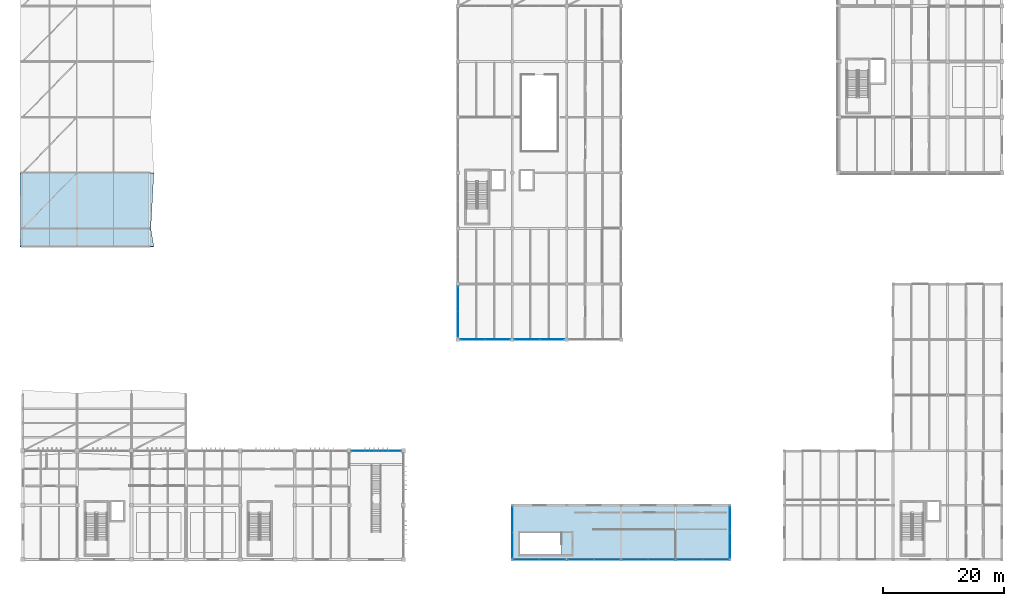
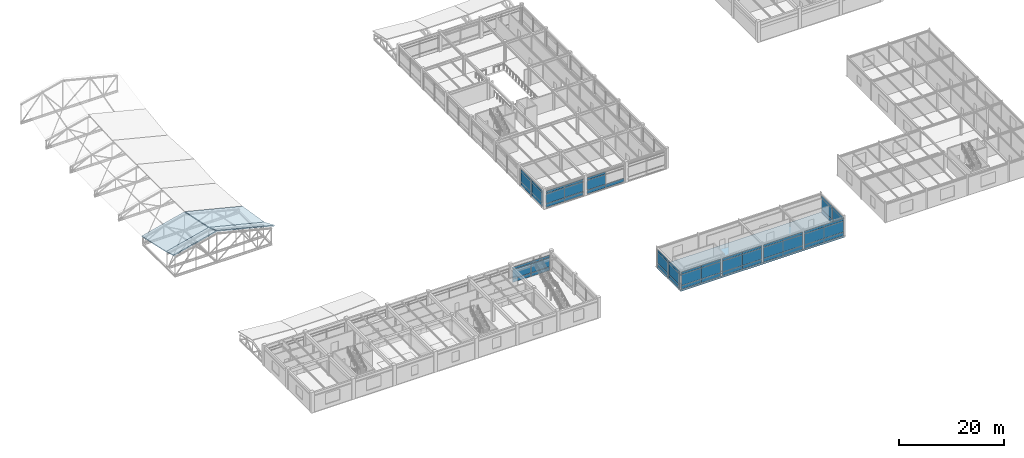
# One storey, part 35 of 61: 58 plates, 6 slabs, 10 elements without a shape of their own.
"""IFC4 building model written with IfcOpenShell, lengths in metres."""

from ifc_helpers import new_model, si_unit, direction, frame, origin, origin_2d, place, context, subcontext, project, spatial, polyline, rectangle, outline, extrude, material, layer, layer_set, type_object, element, aggregate, save


model = new_model("IFC4")

# Units and contexts
model_context = context("Model", 3, precision=1e-05, world=origin(), true_north=direction((0.0, 1.0)))
body_context = subcontext(model_context, "Body", "Model", "MODEL_VIEW")
ifc_project = project(units=[si_unit("LENGTHUNIT", "METRE"), si_unit("AREAUNIT", "SQUARE_METRE"), si_unit("VOLUMEUNIT", "CUBIC_METRE"), si_unit("PLANEANGLEUNIT", "RADIAN"), si_unit("MASSUNIT", "GRAM", prefix="KILO")], contexts=[model_context])

# Site, building, storey
site_placement = place(None, origin())
site = spatial("IfcSite", under=ifc_project, at=site_placement, CompositionType="ELEMENT")
building_placement = place(site_placement, origin())
building = spatial("IfcBuilding", under=site, at=building_placement, Name="Bozkorgan Art Gallery", CompositionType="ELEMENT")
storey_placement = place(building_placement, frame((0.0, 0.0, 10.199951171875)))
storey = spatial("IfcBuildingStorey", under=building, at=storey_placement, Name="L02", CompositionType="ELEMENT", Elevation=10.199951171875)

# Curtain wall, plates
ifc_material_1 = material(Name="Anodised Bronze Aluminium", Category="aluminium")
curtain_wall_type_1 = type_object("IfcCurtainWallType", Name="CW-CW-61", PredefinedType="NOTDEFINED", material=ifc_material_1)
curtain_wall_1_placement = place(storey_placement, origin())
curtain_wall_1 = element("IfcCurtainWall", 1, at=curtain_wall_1_placement, inside=storey, type_object=curtain_wall_type_1, Name="L02 unitised curtain wall CW-V1-L02-1N-14", PredefinedType="NOTDEFINED")
ifc_material_2 = material(Name="Triple Low-E Laminated Glass", Category="glass")
ifc_layer_1 = layer(ifc_material_2, 0.0439453125, Name="Triple Low-E Laminated Glass")
ifc_layer_set_1 = layer_set([ifc_layer_1], Name="Triple Low-E Laminated Glass")
plate_type = type_object("IfcPlateType", Name="CWP-GLZ", PredefinedType="CURTAIN_PANEL", material=ifc_layer_set_1)
plate_1_placement = place(storey_placement, frame((58.44873046875, 20.0, 0.094970703125), z_axis=(0.0, 0.0, 1.0), x_axis=(1.0, 0.0, 0.0)))
plate_1 = element("IfcPlate", 2, at=plate_1_placement, type_object=plate_type, Name="CW-61 panel 1.1", PredefinedType="CURTAIN_PANEL", context=body_context, shape_type="SweptSolid", body=[
    extrude(rectangle(XDim=4.03759765625, YDim=0.0439453125, at=origin_2d()), origin(), (0.0, 0.0, 1.0), 0.78759765625),
])
plate_2_placement = place(storey_placement, frame((58.44873046875, 20.0, 0.95751953125), z_axis=(0.0, 0.0, 1.0), x_axis=(1.0, 0.0, 0.0)))
plate_2 = element("IfcPlate", 3, at=plate_2_placement, type_object=plate_type, Name="CW-61 panel 1.2", PredefinedType="CURTAIN_PANEL", context=body_context, shape_type="SweptSolid", body=[
    extrude(rectangle(XDim=4.03759765625, YDim=0.0439453125, at=origin_2d()), origin(), (0.0, 0.0, 1.0), 2.070068359375),
])
plate_3_placement = place(storey_placement, frame((58.44873046875, 20.0, 3.1025390625), z_axis=(0.0, 0.0, 1.0), x_axis=(1.0, 0.0, 0.0)))
plate_3 = element("IfcPlate", 4, at=plate_3_placement, type_object=plate_type, Name="CW-61 panel 1.3", PredefinedType="CURTAIN_PANEL", context=body_context, shape_type="SweptSolid", body=[
    extrude(rectangle(XDim=4.03759765625, YDim=0.0439453125, at=origin_2d()), origin(), (0.0, 0.0, 1.0), 0.53759765625),
])
plate_4_placement = place(storey_placement, frame((62.55126953125, 20.0, 0.094970703125), z_axis=(0.0, 0.0, 1.0), x_axis=(1.0, 0.0, 0.0)))
plate_4 = element("IfcPlate", 5, at=plate_4_placement, type_object=plate_type, Name="CW-61 panel 2.1", PredefinedType="CURTAIN_PANEL", context=body_context, shape_type="SweptSolid", body=[
    extrude(rectangle(XDim=4.03759765625, YDim=0.0439453125, at=origin_2d()), origin(), (0.0, 0.0, 1.0), 0.78759765625),
])
plate_5_placement = place(storey_placement, frame((62.55126953125, 20.0, 0.95751953125), z_axis=(0.0, 0.0, 1.0), x_axis=(1.0, 0.0, 0.0)))
plate_5 = element("IfcPlate", 6, at=plate_5_placement, type_object=plate_type, Name="CW-61 panel 2.2", PredefinedType="CURTAIN_PANEL", context=body_context, shape_type="SweptSolid", body=[
    extrude(rectangle(XDim=4.03759765625, YDim=0.0439453125, at=origin_2d()), origin(), (0.0, 0.0, 1.0), 2.070068359375),
])
plate_6_placement = place(storey_placement, frame((62.55126953125, 20.0, 3.1025390625), z_axis=(0.0, 0.0, 1.0), x_axis=(1.0, 0.0, 0.0)))
plate_6 = element("IfcPlate", 7, at=plate_6_placement, type_object=plate_type, Name="CW-61 panel 2.3", PredefinedType="CURTAIN_PANEL", context=body_context, shape_type="SweptSolid", body=[
    extrude(rectangle(XDim=4.03759765625, YDim=0.0439453125, at=origin_2d()), origin(), (0.0, 0.0, 1.0), 0.53759765625),
])
aggregate(curtain_wall_1, [plate_1, plate_2, plate_3, plate_4, plate_5, plate_6])

curtain_wall_type_2 = type_object("IfcCurtainWallType", Name="CW-CW-97", PredefinedType="NOTDEFINED", material=ifc_material_1)
curtain_wall_2_placement = place(storey_placement, origin())
curtain_wall_2 = element("IfcCurtainWall", 8, at=curtain_wall_2_placement, inside=storey, type_object=curtain_wall_type_2, Name="L02 unitised curtain wall CW-V3-L02-1S-01", PredefinedType="NOTDEFINED")
plate_7_placement = place(storey_placement, frame((85.351318359375, 2.0, 0.10009765625), z_axis=(0.0, 0.0, 1.0), x_axis=(1.0, 0.0, 0.0)))
plate_7 = element("IfcPlate", 9, at=plate_7_placement, type_object=plate_type, Name="CW-97 panel 1.1", PredefinedType="CURTAIN_PANEL", context=body_context, shape_type="SweptSolid", body=[
    extrude(rectangle(XDim=4.222412109375, YDim=0.0439453125, at=origin_2d()), origin(), (0.0, 0.0, 1.0), 0.780029296875),
])
plate_8_placement = place(storey_placement, frame((85.351318359375, 2.0, 0.960205078125), z_axis=(0.0, 0.0, 1.0), x_axis=(1.0, 0.0, 0.0)))
plate_8 = element("IfcPlate", 10, at=plate_8_placement, type_object=plate_type, Name="CW-97 panel 1.2", PredefinedType="CURTAIN_PANEL", context=body_context, shape_type="SweptSolid", body=[
    extrude(rectangle(XDim=4.222412109375, YDim=0.0439453125, at=origin_2d()), origin(), (0.0, 0.0, 1.0), 2.5048828125),
])
plate_9_placement = place(storey_placement, frame((85.351318359375, 2.0, 3.544921875), z_axis=(0.0, 0.0, 1.0), x_axis=(1.0, 0.0, 0.0)))
plate_9 = element("IfcPlate", 11, at=plate_9_placement, type_object=plate_type, Name="CW-97 panel 1.3", PredefinedType="CURTAIN_PANEL", context=body_context, shape_type="SweptSolid", body=[
    extrude(rectangle(XDim=4.222412109375, YDim=0.0439453125, at=origin_2d()), origin(), (0.0, 0.0, 1.0), 0.530029296875),
])
plate_10_placement = place(storey_placement, frame((89.648681640625, 2.0, 0.10009765625), z_axis=(0.0, 0.0, 1.0), x_axis=(1.0, 0.0, 0.0)))
plate_10 = element("IfcPlate", 12, at=plate_10_placement, type_object=plate_type, Name="CW-97 panel 2.1", PredefinedType="CURTAIN_PANEL", context=body_context, shape_type="SweptSolid", body=[
    extrude(rectangle(XDim=4.222412109375, YDim=0.0439453125, at=origin_2d()), origin(), (0.0, 0.0, 1.0), 0.780029296875),
])
plate_11_placement = place(storey_placement, frame((89.648681640625, 2.0, 0.960205078125), z_axis=(0.0, 0.0, 1.0), x_axis=(1.0, 0.0, 0.0)))
plate_11 = element("IfcPlate", 13, at=plate_11_placement, type_object=plate_type, Name="CW-97 panel 2.2", PredefinedType="CURTAIN_PANEL", context=body_context, shape_type="SweptSolid", body=[
    extrude(rectangle(XDim=4.222412109375, YDim=0.0439453125, at=origin_2d()), origin(), (0.0, 0.0, 1.0), 2.5048828125),
])
plate_12_placement = place(storey_placement, frame((89.648681640625, 2.0, 3.544921875), z_axis=(0.0, 0.0, 1.0), x_axis=(1.0, 0.0, 0.0)))
plate_12 = element("IfcPlate", 14, at=plate_12_placement, type_object=plate_type, Name="CW-97 panel 2.3", PredefinedType="CURTAIN_PANEL", context=body_context, shape_type="SweptSolid", body=[
    extrude(rectangle(XDim=4.222412109375, YDim=0.0439453125, at=origin_2d()), origin(), (0.0, 0.0, 1.0), 0.530029296875),
])
aggregate(curtain_wall_2, [plate_7, plate_8, plate_9, plate_10, plate_11, plate_12])

curtain_wall_3_placement = place(storey_placement, origin())
curtain_wall_3 = element("IfcCurtainWall", 15, at=curtain_wall_3_placement, inside=storey, type_object=curtain_wall_type_2, Name="L02 unitised curtain wall CW-V3-L02-1S-03", PredefinedType="NOTDEFINED")
plate_13_placement = place(storey_placement, frame((94.351318359375, 2.0, 0.10009765625), z_axis=(0.0, 0.0, 1.0), x_axis=(1.0, 0.0, 0.0)))
plate_13 = element("IfcPlate", 16, at=plate_13_placement, type_object=plate_type, Name="CW-97 panel 1.1", PredefinedType="CURTAIN_PANEL", context=body_context, shape_type="SweptSolid", body=[
    extrude(rectangle(XDim=4.222412109375, YDim=0.0439453125, at=origin_2d()), origin(), (0.0, 0.0, 1.0), 0.780029296875),
])
plate_14_placement = place(storey_placement, frame((94.351318359375, 2.0, 0.960205078125), z_axis=(0.0, 0.0, 1.0), x_axis=(1.0, 0.0, 0.0)))
plate_14 = element("IfcPlate", 17, at=plate_14_placement, type_object=plate_type, Name="CW-97 panel 1.2", PredefinedType="CURTAIN_PANEL", context=body_context, shape_type="SweptSolid", body=[
    extrude(rectangle(XDim=4.222412109375, YDim=0.0439453125, at=origin_2d()), origin(), (0.0, 0.0, 1.0), 2.5048828125),
])
plate_15_placement = place(storey_placement, frame((94.351318359375, 2.0, 3.544921875), z_axis=(0.0, 0.0, 1.0), x_axis=(1.0, 0.0, 0.0)))
plate_15 = element("IfcPlate", 18, at=plate_15_placement, type_object=plate_type, Name="CW-97 panel 1.3", PredefinedType="CURTAIN_PANEL", context=body_context, shape_type="SweptSolid", body=[
    extrude(rectangle(XDim=4.222412109375, YDim=0.0439453125, at=origin_2d()), origin(), (0.0, 0.0, 1.0), 0.530029296875),
])
plate_16_placement = place(storey_placement, frame((98.648681640625, 2.0, 0.10009765625), z_axis=(0.0, 0.0, 1.0), x_axis=(1.0, 0.0, 0.0)))
plate_16 = element("IfcPlate", 19, at=plate_16_placement, type_object=plate_type, Name="CW-97 panel 2.1", PredefinedType="CURTAIN_PANEL", context=body_context, shape_type="SweptSolid", body=[
    extrude(rectangle(XDim=4.222412109375, YDim=0.0439453125, at=origin_2d()), origin(), (0.0, 0.0, 1.0), 0.780029296875),
])
plate_17_placement = place(storey_placement, frame((98.648681640625, 2.0, 0.960205078125), z_axis=(0.0, 0.0, 1.0), x_axis=(1.0, 0.0, 0.0)))
plate_17 = element("IfcPlate", 20, at=plate_17_placement, type_object=plate_type, Name="CW-97 panel 2.2", PredefinedType="CURTAIN_PANEL", context=body_context, shape_type="SweptSolid", body=[
    extrude(rectangle(XDim=4.222412109375, YDim=0.0439453125, at=origin_2d()), origin(), (0.0, 0.0, 1.0), 2.5048828125),
])
plate_18_placement = place(storey_placement, frame((98.648681640625, 2.0, 3.544921875), z_axis=(0.0, 0.0, 1.0), x_axis=(1.0, 0.0, 0.0)))
plate_18 = element("IfcPlate", 21, at=plate_18_placement, type_object=plate_type, Name="CW-97 panel 2.3", PredefinedType="CURTAIN_PANEL", context=body_context, shape_type="SweptSolid", body=[
    extrude(rectangle(XDim=4.222412109375, YDim=0.0439453125, at=origin_2d()), origin(), (0.0, 0.0, 1.0), 0.530029296875),
])
aggregate(curtain_wall_3, [plate_13, plate_14, plate_15, plate_16, plate_17, plate_18])

curtain_wall_4_placement = place(storey_placement, origin())
curtain_wall_4 = element("IfcCurtainWall", 22, at=curtain_wall_4_placement, inside=storey, type_object=curtain_wall_type_2, Name="L02 unitised curtain wall CW-V3-L02-1S-05", PredefinedType="NOTDEFINED")
plate_19_placement = place(storey_placement, frame((103.351318359375, 2.0, 0.10009765625), z_axis=(0.0, 0.0, 1.0), x_axis=(1.0, 0.0, 0.0)))
plate_19 = element("IfcPlate", 23, at=plate_19_placement, type_object=plate_type, Name="CW-97 panel 1.1", PredefinedType="CURTAIN_PANEL", context=body_context, shape_type="SweptSolid", body=[
    extrude(rectangle(XDim=4.222412109375, YDim=0.0439453125, at=origin_2d()), origin(), (0.0, 0.0, 1.0), 0.780029296875),
])
plate_20_placement = place(storey_placement, frame((103.351318359375, 2.0, 0.960205078125), z_axis=(0.0, 0.0, 1.0), x_axis=(1.0, 0.0, 0.0)))
plate_20 = element("IfcPlate", 24, at=plate_20_placement, type_object=plate_type, Name="CW-97 panel 1.2", PredefinedType="CURTAIN_PANEL", context=body_context, shape_type="SweptSolid", body=[
    extrude(rectangle(XDim=4.222412109375, YDim=0.0439453125, at=origin_2d()), origin(), (0.0, 0.0, 1.0), 2.5048828125),
])
plate_21_placement = place(storey_placement, frame((103.351318359375, 2.0, 3.544921875), z_axis=(0.0, 0.0, 1.0), x_axis=(1.0, 0.0, 0.0)))
plate_21 = element("IfcPlate", 25, at=plate_21_placement, type_object=plate_type, Name="CW-97 panel 1.3", PredefinedType="CURTAIN_PANEL", context=body_context, shape_type="SweptSolid", body=[
    extrude(rectangle(XDim=4.222412109375, YDim=0.0439453125, at=origin_2d()), origin(), (0.0, 0.0, 1.0), 0.530029296875),
])
plate_22_placement = place(storey_placement, frame((107.648681640625, 2.0, 0.10009765625), z_axis=(0.0, 0.0, 1.0), x_axis=(1.0, 0.0, 0.0)))
plate_22 = element("IfcPlate", 26, at=plate_22_placement, type_object=plate_type, Name="CW-97 panel 2.1", PredefinedType="CURTAIN_PANEL", context=body_context, shape_type="SweptSolid", body=[
    extrude(rectangle(XDim=4.222412109375, YDim=0.0439453125, at=origin_2d()), origin(), (0.0, 0.0, 1.0), 0.780029296875),
])
plate_23_placement = place(storey_placement, frame((107.648681640625, 2.0, 0.960205078125), z_axis=(0.0, 0.0, 1.0), x_axis=(1.0, 0.0, 0.0)))
plate_23 = element("IfcPlate", 27, at=plate_23_placement, type_object=plate_type, Name="CW-97 panel 2.2", PredefinedType="CURTAIN_PANEL", context=body_context, shape_type="SweptSolid", body=[
    extrude(rectangle(XDim=4.222412109375, YDim=0.0439453125, at=origin_2d()), origin(), (0.0, 0.0, 1.0), 2.5048828125),
])
plate_24_placement = place(storey_placement, frame((107.648681640625, 2.0, 3.544921875), z_axis=(0.0, 0.0, 1.0), x_axis=(1.0, 0.0, 0.0)))
plate_24 = element("IfcPlate", 28, at=plate_24_placement, type_object=plate_type, Name="CW-97 panel 2.3", PredefinedType="CURTAIN_PANEL", context=body_context, shape_type="SweptSolid", body=[
    extrude(rectangle(XDim=4.222412109375, YDim=0.0439453125, at=origin_2d()), origin(), (0.0, 0.0, 1.0), 0.530029296875),
])
aggregate(curtain_wall_4, [plate_19, plate_20, plate_21, plate_22, plate_23, plate_24])

curtain_wall_5_placement = place(storey_placement, origin())
curtain_wall_5 = element("IfcCurtainWall", 29, at=curtain_wall_5_placement, inside=storey, type_object=curtain_wall_type_2, Name="L02 unitised curtain wall CW-V3-L02-1S-07", PredefinedType="NOTDEFINED")
plate_25_placement = place(storey_placement, frame((112.351318359375, 2.0, 0.10009765625), z_axis=(0.0, 0.0, 1.0), x_axis=(1.0, 0.0, 0.0)))
plate_25 = element("IfcPlate", 30, at=plate_25_placement, type_object=plate_type, Name="CW-97 panel 1.1", PredefinedType="CURTAIN_PANEL", context=body_context, shape_type="SweptSolid", body=[
    extrude(rectangle(XDim=4.222412109375, YDim=0.0439453125, at=origin_2d()), origin(), (0.0, 0.0, 1.0), 0.780029296875),
])
plate_26_placement = place(storey_placement, frame((112.351318359375, 2.0, 0.960205078125), z_axis=(0.0, 0.0, 1.0), x_axis=(1.0, 0.0, 0.0)))
plate_26 = element("IfcPlate", 31, at=plate_26_placement, type_object=plate_type, Name="CW-97 panel 1.2", PredefinedType="CURTAIN_PANEL", context=body_context, shape_type="SweptSolid", body=[
    extrude(rectangle(XDim=4.222412109375, YDim=0.0439453125, at=origin_2d()), origin(), (0.0, 0.0, 1.0), 2.5048828125),
])
plate_27_placement = place(storey_placement, frame((112.351318359375, 2.0, 3.544921875), z_axis=(0.0, 0.0, 1.0), x_axis=(1.0, 0.0, 0.0)))
plate_27 = element("IfcPlate", 32, at=plate_27_placement, type_object=plate_type, Name="CW-97 panel 1.3", PredefinedType="CURTAIN_PANEL", context=body_context, shape_type="SweptSolid", body=[
    extrude(rectangle(XDim=4.222412109375, YDim=0.0439453125, at=origin_2d()), origin(), (0.0, 0.0, 1.0), 0.530029296875),
])
plate_28_placement = place(storey_placement, frame((116.648681640625, 2.0, 0.10009765625), z_axis=(0.0, 0.0, 1.0), x_axis=(1.0, 0.0, 0.0)))
plate_28 = element("IfcPlate", 33, at=plate_28_placement, type_object=plate_type, Name="CW-97 panel 2.1", PredefinedType="CURTAIN_PANEL", context=body_context, shape_type="SweptSolid", body=[
    extrude(rectangle(XDim=4.222412109375, YDim=0.0439453125, at=origin_2d()), origin(), (0.0, 0.0, 1.0), 0.780029296875),
])
plate_29_placement = place(storey_placement, frame((116.648681640625, 2.0, 0.960205078125), z_axis=(0.0, 0.0, 1.0), x_axis=(1.0, 0.0, 0.0)))
plate_29 = element("IfcPlate", 34, at=plate_29_placement, type_object=plate_type, Name="CW-97 panel 2.2", PredefinedType="CURTAIN_PANEL", context=body_context, shape_type="SweptSolid", body=[
    extrude(rectangle(XDim=4.222412109375, YDim=0.0439453125, at=origin_2d()), origin(), (0.0, 0.0, 1.0), 2.5048828125),
])
plate_30_placement = place(storey_placement, frame((116.648681640625, 2.0, 3.544921875), z_axis=(0.0, 0.0, 1.0), x_axis=(1.0, 0.0, 0.0)))
plate_30 = element("IfcPlate", 35, at=plate_30_placement, type_object=plate_type, Name="CW-97 panel 2.3", PredefinedType="CURTAIN_PANEL", context=body_context, shape_type="SweptSolid", body=[
    extrude(rectangle(XDim=4.222412109375, YDim=0.0439453125, at=origin_2d()), origin(), (0.0, 0.0, 1.0), 0.530029296875),
])
aggregate(curtain_wall_5, [plate_25, plate_26, plate_27, plate_28, plate_29, plate_30])

curtain_wall_type_3 = type_object("IfcCurtainWallType", Name="CW-CW-46", PredefinedType="NOTDEFINED", material=ifc_material_1)
curtain_wall_6_placement = place(storey_placement, origin())
curtain_wall_6 = element("IfcCurtainWall", 36, at=curtain_wall_6_placement, inside=storey, type_object=curtain_wall_type_3, Name="L02 unitised curtain wall CW-V3-L02-1W-09", PredefinedType="NOTDEFINED")
plate_31_placement = place(storey_placement, frame((83.0, 4.38623046875, 0.10009765625), z_axis=(0.0, 0.0, 1.0), x_axis=(0.0, 1.0, 0.0)))
plate_31 = element("IfcPlate", 37, at=plate_31_placement, type_object=plate_type, Name="CW-46 panel 1.1", PredefinedType="CURTAIN_PANEL", context=body_context, shape_type="SweptSolid", body=[
    extrude(rectangle(XDim=4.152587890625, YDim=0.0439453125, at=origin_2d()), origin(), (0.0, 0.0, 1.0), 0.780029296875),
])
plate_32_placement = place(storey_placement, frame((83.0, 4.38623046875, 0.960205078125), z_axis=(0.0, 0.0, 1.0), x_axis=(0.0, 1.0, 0.0)))
plate_32 = element("IfcPlate", 38, at=plate_32_placement, type_object=plate_type, Name="CW-46 panel 1.2", PredefinedType="CURTAIN_PANEL", context=body_context, shape_type="SweptSolid", body=[
    extrude(rectangle(XDim=4.152587890625, YDim=0.0439453125, at=origin_2d()), origin(), (0.0, 0.0, 1.0), 2.5048828125),
])
plate_33_placement = place(storey_placement, frame((83.0, 4.38623046875, 3.544921875), z_axis=(0.0, 0.0, 1.0), x_axis=(0.0, 1.0, 0.0)))
plate_33 = element("IfcPlate", 39, at=plate_33_placement, type_object=plate_type, Name="CW-46 panel 1.3", PredefinedType="CURTAIN_PANEL", context=body_context, shape_type="SweptSolid", body=[
    extrude(rectangle(XDim=4.152587890625, YDim=0.0439453125, at=origin_2d()), origin(), (0.0, 0.0, 1.0), 0.530029296875),
])
plate_34_placement = place(storey_placement, frame((83.0, 8.61376953125, 0.10009765625), z_axis=(0.0, 0.0, 1.0), x_axis=(0.0, 1.0, 0.0)))
plate_34 = element("IfcPlate", 40, at=plate_34_placement, type_object=plate_type, Name="CW-46 panel 2.1", PredefinedType="CURTAIN_PANEL", context=body_context, shape_type="SweptSolid", body=[
    extrude(rectangle(XDim=4.152587890625, YDim=0.0439453125, at=origin_2d()), origin(), (0.0, 0.0, 1.0), 0.780029296875),
])
plate_35_placement = place(storey_placement, frame((83.0, 8.61376953125, 0.960205078125), z_axis=(0.0, 0.0, 1.0), x_axis=(0.0, 1.0, 0.0)))
plate_35 = element("IfcPlate", 41, at=plate_35_placement, type_object=plate_type, Name="CW-46 panel 2.2", PredefinedType="CURTAIN_PANEL", context=body_context, shape_type="SweptSolid", body=[
    extrude(rectangle(XDim=4.152587890625, YDim=0.0439453125, at=origin_2d()), origin(), (0.0, 0.0, 1.0), 2.5048828125),
])
plate_36_placement = place(storey_placement, frame((83.0, 8.61376953125, 3.544921875), z_axis=(0.0, 0.0, 1.0), x_axis=(0.0, 1.0, 0.0)))
plate_36 = element("IfcPlate", 42, at=plate_36_placement, type_object=plate_type, Name="CW-46 panel 2.3", PredefinedType="CURTAIN_PANEL", context=body_context, shape_type="SweptSolid", body=[
    extrude(rectangle(XDim=4.152587890625, YDim=0.0439453125, at=origin_2d()), origin(), (0.0, 0.0, 1.0), 0.530029296875),
])
aggregate(curtain_wall_6, [plate_31, plate_32, plate_33, plate_34, plate_35, plate_36])

curtain_wall_7_placement = place(storey_placement, origin())
curtain_wall_7 = element("IfcCurtainWall", 43, at=curtain_wall_7_placement, inside=storey, type_object=curtain_wall_type_3, Name="L02 unitised curtain wall CW-V3-L02-1E-10", PredefinedType="NOTDEFINED")
plate_37_placement = place(storey_placement, frame((119.0, 4.38623046875, 0.10009765625), z_axis=(0.0, 0.0, 1.0), x_axis=(0.0, 1.0, 0.0)))
plate_37 = element("IfcPlate", 44, at=plate_37_placement, type_object=plate_type, Name="CW-46 panel 1.1", PredefinedType="CURTAIN_PANEL", context=body_context, shape_type="SweptSolid", body=[
    extrude(rectangle(XDim=4.152587890625, YDim=0.0439453125, at=origin_2d()), origin(), (0.0, 0.0, 1.0), 0.780029296875),
])
plate_38_placement = place(storey_placement, frame((119.0, 4.38623046875, 0.960205078125), z_axis=(0.0, 0.0, 1.0), x_axis=(0.0, 1.0, 0.0)))
plate_38 = element("IfcPlate", 45, at=plate_38_placement, type_object=plate_type, Name="CW-46 panel 1.2", PredefinedType="CURTAIN_PANEL", context=body_context, shape_type="SweptSolid", body=[
    extrude(rectangle(XDim=4.152587890625, YDim=0.0439453125, at=origin_2d()), origin(), (0.0, 0.0, 1.0), 2.5048828125),
])
plate_39_placement = place(storey_placement, frame((119.0, 4.38623046875, 3.544921875), z_axis=(0.0, 0.0, 1.0), x_axis=(0.0, 1.0, 0.0)))
plate_39 = element("IfcPlate", 46, at=plate_39_placement, type_object=plate_type, Name="CW-46 panel 1.3", PredefinedType="CURTAIN_PANEL", context=body_context, shape_type="SweptSolid", body=[
    extrude(rectangle(XDim=4.152587890625, YDim=0.0439453125, at=origin_2d()), origin(), (0.0, 0.0, 1.0), 0.530029296875),
])
plate_40_placement = place(storey_placement, frame((119.0, 8.61376953125, 0.10009765625), z_axis=(0.0, 0.0, 1.0), x_axis=(0.0, 1.0, 0.0)))
plate_40 = element("IfcPlate", 47, at=plate_40_placement, type_object=plate_type, Name="CW-46 panel 2.1", PredefinedType="CURTAIN_PANEL", context=body_context, shape_type="SweptSolid", body=[
    extrude(rectangle(XDim=4.152587890625, YDim=0.0439453125, at=origin_2d()), origin(), (0.0, 0.0, 1.0), 0.780029296875),
])
plate_41_placement = place(storey_placement, frame((119.0, 8.61376953125, 0.960205078125), z_axis=(0.0, 0.0, 1.0), x_axis=(0.0, 1.0, 0.0)))
plate_41 = element("IfcPlate", 48, at=plate_41_placement, type_object=plate_type, Name="CW-46 panel 2.2", PredefinedType="CURTAIN_PANEL", context=body_context, shape_type="SweptSolid", body=[
    extrude(rectangle(XDim=4.152587890625, YDim=0.0439453125, at=origin_2d()), origin(), (0.0, 0.0, 1.0), 2.5048828125),
])
plate_42_placement = place(storey_placement, frame((119.0, 8.61376953125, 3.544921875), z_axis=(0.0, 0.0, 1.0), x_axis=(0.0, 1.0, 0.0)))
plate_42 = element("IfcPlate", 49, at=plate_42_placement, type_object=plate_type, Name="CW-46 panel 2.3", PredefinedType="CURTAIN_PANEL", context=body_context, shape_type="SweptSolid", body=[
    extrude(rectangle(XDim=4.152587890625, YDim=0.0439453125, at=origin_2d()), origin(), (0.0, 0.0, 1.0), 0.530029296875),
])
aggregate(curtain_wall_7, [plate_37, plate_38, plate_39, plate_40, plate_41, plate_42])

curtain_wall_type_4 = type_object("IfcCurtainWallType", Name="CW-CW-11", PredefinedType="NOTDEFINED", material=ifc_material_1)
curtain_wall_8_placement = place(storey_placement, origin())
curtain_wall_8 = element("IfcCurtainWall", 50, at=curtain_wall_8_placement, inside=storey, type_object=curtain_wall_type_4, Name="L02 unitised curtain wall CW-V4-L02-1S-01", PredefinedType="NOTDEFINED")
plate_43_placement = place(storey_placement, frame((76.451171875, 38.39990234375, 0.094970703125), z_axis=(0.0, 0.0, 1.0), x_axis=(1.0, 0.0, 0.0)))
plate_43 = element("IfcPlate", 51, at=plate_43_placement, type_object=plate_type, Name="CW-11 panel 1.1", PredefinedType="CURTAIN_PANEL", context=body_context, shape_type="SweptSolid", body=[
    extrude(rectangle(XDim=4.0224609375, YDim=0.0439453125, at=origin_2d()), origin(), (0.0, 0.0, 1.0), 0.78759765625),
])
plate_44_placement = place(storey_placement, frame((76.451171875, 38.39990234375, 0.95751953125), z_axis=(0.0, 0.0, 1.0), x_axis=(1.0, 0.0, 0.0)))
plate_44 = element("IfcPlate", 52, at=plate_44_placement, type_object=plate_type, Name="CW-11 panel 1.2", PredefinedType="CURTAIN_PANEL", context=body_context, shape_type="SweptSolid", body=[
    extrude(rectangle(XDim=4.0224609375, YDim=0.0439453125, at=origin_2d()), origin(), (0.0, 0.0, 1.0), 2.280029296875),
])
plate_45_placement = place(storey_placement, frame((76.451171875, 38.39990234375, 3.3125), z_axis=(0.0, 0.0, 1.0), x_axis=(1.0, 0.0, 0.0)))
plate_45 = element("IfcPlate", 53, at=plate_45_placement, type_object=plate_type, Name="CW-11 panel 1.3", PredefinedType="CURTAIN_PANEL", context=body_context, shape_type="SweptSolid", body=[
    extrude(rectangle(XDim=4.0224609375, YDim=0.0439453125, at=origin_2d()), origin(), (0.0, 0.0, 1.0), 0.53759765625),
])
plate_46_placement = place(storey_placement, frame((80.548828125, 38.39990234375, 0.094970703125), z_axis=(0.0, 0.0, 1.0), x_axis=(1.0, 0.0, 0.0)))
plate_46 = element("IfcPlate", 54, at=plate_46_placement, type_object=plate_type, Name="CW-11 panel 2.1", PredefinedType="CURTAIN_PANEL", context=body_context, shape_type="SweptSolid", body=[
    extrude(rectangle(XDim=4.0224609375, YDim=0.0439453125, at=origin_2d()), origin(), (0.0, 0.0, 1.0), 0.78759765625),
])
plate_47_placement = place(storey_placement, frame((80.548828125, 38.39990234375, 0.95751953125), z_axis=(0.0, 0.0, 1.0), x_axis=(1.0, 0.0, 0.0)))
plate_47 = element("IfcPlate", 55, at=plate_47_placement, type_object=plate_type, Name="CW-11 panel 2.2", PredefinedType="CURTAIN_PANEL", context=body_context, shape_type="SweptSolid", body=[
    extrude(rectangle(XDim=4.0224609375, YDim=0.0439453125, at=origin_2d()), origin(), (0.0, 0.0, 1.0), 2.280029296875),
])
plate_48_placement = place(storey_placement, frame((80.548828125, 38.39990234375, 3.3125), z_axis=(0.0, 0.0, 1.0), x_axis=(1.0, 0.0, 0.0)))
plate_48 = element("IfcPlate", 56, at=plate_48_placement, type_object=plate_type, Name="CW-11 panel 2.3", PredefinedType="CURTAIN_PANEL", context=body_context, shape_type="SweptSolid", body=[
    extrude(rectangle(XDim=4.0224609375, YDim=0.0439453125, at=origin_2d()), origin(), (0.0, 0.0, 1.0), 0.53759765625),
])
aggregate(curtain_wall_8, [plate_43, plate_44, plate_45, plate_46, plate_47, plate_48])

curtain_wall_9_placement = place(storey_placement, origin())
curtain_wall_9 = element("IfcCurtainWall", 57, at=curtain_wall_9_placement, inside=storey, type_object=curtain_wall_type_4, Name="L02 unitised curtain wall CW-V4-L02-1S-03", PredefinedType="NOTDEFINED")
plate_49_placement = place(storey_placement, frame((85.451171875, 38.39990234375, 0.094970703125), z_axis=(0.0, 0.0, 1.0), x_axis=(1.0, 0.0, 0.0)))
plate_49 = element("IfcPlate", 58, at=plate_49_placement, type_object=plate_type, Name="CW-11 panel 1.1", PredefinedType="CURTAIN_PANEL", context=body_context, shape_type="SweptSolid", body=[
    extrude(rectangle(XDim=4.0224609375, YDim=0.0439453125, at=origin_2d()), origin(), (0.0, 0.0, 1.0), 0.78759765625),
])
plate_50_placement = place(storey_placement, frame((85.451171875, 38.39990234375, 0.95751953125), z_axis=(0.0, 0.0, 1.0), x_axis=(1.0, 0.0, 0.0)))
plate_50 = element("IfcPlate", 59, at=plate_50_placement, type_object=plate_type, Name="CW-11 panel 1.2", PredefinedType="CURTAIN_PANEL", context=body_context, shape_type="SweptSolid", body=[
    extrude(rectangle(XDim=4.0224609375, YDim=0.0439453125, at=origin_2d()), origin(), (0.0, 0.0, 1.0), 2.280029296875),
])
plate_51_placement = place(storey_placement, frame((85.451171875, 38.39990234375, 3.3125), z_axis=(0.0, 0.0, 1.0), x_axis=(1.0, 0.0, 0.0)))
plate_51 = element("IfcPlate", 60, at=plate_51_placement, type_object=plate_type, Name="CW-11 panel 1.3", PredefinedType="CURTAIN_PANEL", context=body_context, shape_type="SweptSolid", body=[
    extrude(rectangle(XDim=4.0224609375, YDim=0.0439453125, at=origin_2d()), origin(), (0.0, 0.0, 1.0), 0.53759765625),
])
plate_52_placement = place(storey_placement, frame((89.548828125, 38.39990234375, 0.094970703125), z_axis=(0.0, 0.0, 1.0), x_axis=(1.0, 0.0, 0.0)))
plate_52 = element("IfcPlate", 61, at=plate_52_placement, type_object=plate_type, Name="CW-11 panel 2.1", PredefinedType="CURTAIN_PANEL", context=body_context, shape_type="SweptSolid", body=[
    extrude(rectangle(XDim=4.0224609375, YDim=0.0439453125, at=origin_2d()), origin(), (0.0, 0.0, 1.0), 0.78759765625),
])
aggregate(curtain_wall_9, [plate_49, plate_50, plate_51, plate_52])

curtain_wall_type_5 = type_object("IfcCurtainWallType", Name="CW-CW-99", PredefinedType="NOTDEFINED", material=ifc_material_1)
curtain_wall_10_placement = place(storey_placement, origin())
curtain_wall_10 = element("IfcCurtainWall", 62, at=curtain_wall_10_placement, inside=storey, type_object=curtain_wall_type_5, Name="L02 unitised curtain wall CW-V4-L02-1W-07", PredefinedType="NOTDEFINED")
plate_53_placement = place(storey_placement, frame((74.0, 40.9013671875, 0.10009765625), z_axis=(0.0, 0.0, 1.0), x_axis=(0.0, 1.0, 0.0)))
plate_53 = element("IfcPlate", 63, at=plate_53_placement, type_object=plate_type, Name="CW-99 panel 1.1", PredefinedType="CURTAIN_PANEL", context=body_context, shape_type="SweptSolid", body=[
    extrude(rectangle(XDim=4.12255859375, YDim=0.0439453125, at=origin_2d()), origin(), (0.0, 0.0, 1.0), 0.780029296875),
])
plate_54_placement = place(storey_placement, frame((74.0, 40.9013671875, 0.960205078125), z_axis=(0.0, 0.0, 1.0), x_axis=(0.0, 1.0, 0.0)))
plate_54 = element("IfcPlate", 64, at=plate_54_placement, type_object=plate_type, Name="CW-99 panel 1.2", PredefinedType="CURTAIN_PANEL", context=body_context, shape_type="SweptSolid", body=[
    extrude(rectangle(XDim=4.12255859375, YDim=0.0439453125, at=origin_2d()), origin(), (0.0, 0.0, 1.0), 2.27490234375),
])
plate_55_placement = place(storey_placement, frame((74.0, 40.9013671875, 3.31494140625), z_axis=(0.0, 0.0, 1.0), x_axis=(0.0, 1.0, 0.0)))
plate_55 = element("IfcPlate", 65, at=plate_55_placement, type_object=plate_type, Name="CW-99 panel 1.3", PredefinedType="CURTAIN_PANEL", context=body_context, shape_type="SweptSolid", body=[
    extrude(rectangle(XDim=4.12255859375, YDim=0.0439453125, at=origin_2d()), origin(), (0.0, 0.0, 1.0), 0.530029296875),
])
plate_56_placement = place(storey_placement, frame((74.0, 45.0986328125, 0.10009765625), z_axis=(0.0, 0.0, 1.0), x_axis=(0.0, 1.0, 0.0)))
plate_56 = element("IfcPlate", 66, at=plate_56_placement, type_object=plate_type, Name="CW-99 panel 2.1", PredefinedType="CURTAIN_PANEL", context=body_context, shape_type="SweptSolid", body=[
    extrude(rectangle(XDim=4.12255859375, YDim=0.0439453125, at=origin_2d()), origin(), (0.0, 0.0, 1.0), 0.780029296875),
])
plate_57_placement = place(storey_placement, frame((74.0, 45.0986328125, 0.960205078125), z_axis=(0.0, 0.0, 1.0), x_axis=(0.0, 1.0, 0.0)))
plate_57 = element("IfcPlate", 67, at=plate_57_placement, type_object=plate_type, Name="CW-99 panel 2.2", PredefinedType="CURTAIN_PANEL", context=body_context, shape_type="SweptSolid", body=[
    extrude(rectangle(XDim=4.12255859375, YDim=0.0439453125, at=origin_2d()), origin(), (0.0, 0.0, 1.0), 2.27490234375),
])
plate_58_placement = place(storey_placement, frame((74.0, 45.0986328125, 3.31494140625), z_axis=(0.0, 0.0, 1.0), x_axis=(0.0, 1.0, 0.0)))
plate_58 = element("IfcPlate", 68, at=plate_58_placement, type_object=plate_type, Name="CW-99 panel 2.3", PredefinedType="CURTAIN_PANEL", context=body_context, shape_type="SweptSolid", body=[
    extrude(rectangle(XDim=4.12255859375, YDim=0.0439453125, at=origin_2d()), origin(), (0.0, 0.0, 1.0), 0.530029296875),
])
aggregate(curtain_wall_10, [plate_53, plate_54, plate_55, plate_56, plate_57, plate_58])

# Slabs
ifc_material_3 = material(Name="Concrete C35/45", Category="concrete")
ifc_layer_2 = layer(ifc_material_3, 0.25, Name="Concrete C35/45")
ifc_layer_set_2 = layer_set([ifc_layer_2], Name="Concrete C35/45")
slab_type_1 = type_object("IfcSlabType", Name="LAND-CORE6", PredefinedType="LANDING", material=ifc_layer_set_2)
slab_1_placement = place(storey_placement, frame((0.0, 0.0, -0.35986328125)))
element("IfcSlab", 69, at=slab_1_placement, inside=storey, type_object=slab_type_1, Name="ST6 L02 floor landing", PredefinedType="LANDING", context=body_context, shape_type="SweptSolid", body=[
    extrude(outline(polyline([(91.10009765625, 2.85009765625), (92.85009765625, 2.85009765625), (92.85009765625, 6.449951171875), (91.10009765625, 6.449951171875), (91.10009765625, 2.85009765625)])), origin(), (0.0, 0.0, 1.0), 0.35986328125),
])
ifc_layer_3 = layer(ifc_material_3, 0.219970703125, Name="Concrete C35/45")
ifc_layer_set_3 = layer_set([ifc_layer_3], Name="Concrete C35/45")
slab_type_2 = type_object("IfcSlabType", Name="SLAB-RF-44", PredefinedType="ROOF", material=ifc_layer_set_3)
slab_2_placement = place(storey_placement, frame((1.550048828125, 53.800048828125, 5.222900390625), z_axis=(-0.228806943557, 0.324790887697, 0.91769181202), x_axis=(0.970295550607, -9.248e-08, 0.241922600169)))
element("IfcSlab", 70, at=slab_2_placement, inside=storey, type_object=slab_type_2, Name="ROOF-V2-MAIN swept-eave pitched roof slab 1W", PredefinedType="ROOF", context=body_context, shape_type="SweptSolid", body=[
    extrude(outline(polyline([(0.0, 0.0), (9.656721264100996, 0.0), (9.399855413386204, 3.171966318340476), (-0.15395398904110125, 3.1719644399155817), (0.0, 0.0)])), origin(), (0.0, 0.0, -1.0), 0.219970703125),
])
slab_3_placement = place(storey_placement, frame((11.080078125, 53.800048828125, 7.55908203125), z_axis=(0.22880383498, 0.324779189453, 0.917696727245), x_axis=(0.970296544628, 1.075334e-06, -0.241918613343)))
element("IfcSlab", 71, at=slab_3_placement, inside=storey, type_object=slab_type_2, Name="ROOF-V2-MAIN swept-eave pitched roof slab 1E", PredefinedType="ROOF", context=body_context, shape_type="SweptSolid", body=[
    extrude(outline(polyline([(0.0, 0.0), (13.006212347932307, -1.1102230246251565e-16), (12.747747877307335, 3.1719374326497904), (0.2568645661954446, 3.171966422069473), (0.0, 0.0)])), origin(), (0.0, 0.0, -1.0), 0.219970703125),
])
slab_4_placement = place(storey_placement, frame((1.64990234375, 56.800048828125, 4.18603515625), z_axis=(-0.237113957714, 0.198389087771, 0.951009327457), x_axis=(0.970295561187, 5.917e-08, 0.241922557733)))
element("IfcSlab", 72, at=slab_4_placement, inside=storey, type_object=slab_type_2, Name="ROOF-V2-MAIN swept-eave pitched roof slab 2W", PredefinedType="ROOF", context=body_context, shape_type="SweptSolid", body=[
    extrude(outline(polyline([(0.0, 0.0), (9.553809402427461, 0.0), (9.089514725515286, 9.386523327348275), (-0.5672065385856118, 9.386524487088986), (0.0, 0.0)])), origin(), (0.0, 0.0, -1.0), 0.219970703125),
])
slab_5_placement = place(storey_placement, frame((11.080078125, 56.800048828125, 6.497314453125), z_axis=(0.237109505205, 0.198393661318, 0.951009483491), x_axis=(0.970296668669, -7.08804e-07, -0.241918115835)))
element("IfcSlab", 73, at=slab_5_placement, inside=storey, type_object=slab_type_2, Name="ROOF-V2-MAIN swept-eave pitched roof slab 2E", PredefinedType="ROOF", context=body_context, shape_type="SweptSolid", body=[
    extrude(outline(polyline([(0.0, 0.0), (12.490883311140044, 0.0), (13.470492523378494, 9.386542483506958), (0.46428017546452827, 9.386524044530518), (0.0, 0.0)])), origin(), (0.0, 0.0, -1.0), 0.219970703125),
])
ifc_layer_4 = layer(ifc_material_3, 0.360107421875, Name="Concrete C35/45")
ifc_layer_set_4 = layer_set([ifc_layer_4], Name="Concrete C35/45")
slab_type_3 = type_object("IfcSlabType", Name="SLAB-SL-87", PredefinedType="FLOOR", material=ifc_layer_set_4)
slab_6_placement = place(storey_placement, frame((0.0, 0.0, -0.35986328125)))
element("IfcSlab", 74, at=slab_6_placement, inside=storey, type_object=slab_type_3, Name="V3 L02 floor slab 1.1", PredefinedType="FLOOR", context=body_context, shape_type="SweptSolid", body=[
    extrude(outline(polyline([(83.0, 2.0), (119.0, 2.0), (119.0, 11.0), (83.0, 11.0), (83.0, 2.0)]), holes=[polyline([(84.199951171875, 2.85009765625), (92.85009765625, 2.85009765625), (92.85009765625, 6.449951171875), (84.199951171875, 6.449951171875), (84.199951171875, 2.85009765625)])]), origin(), (0.0, 0.0, 1.0), 0.35986328125),
])

save(model, "model.ifc")
